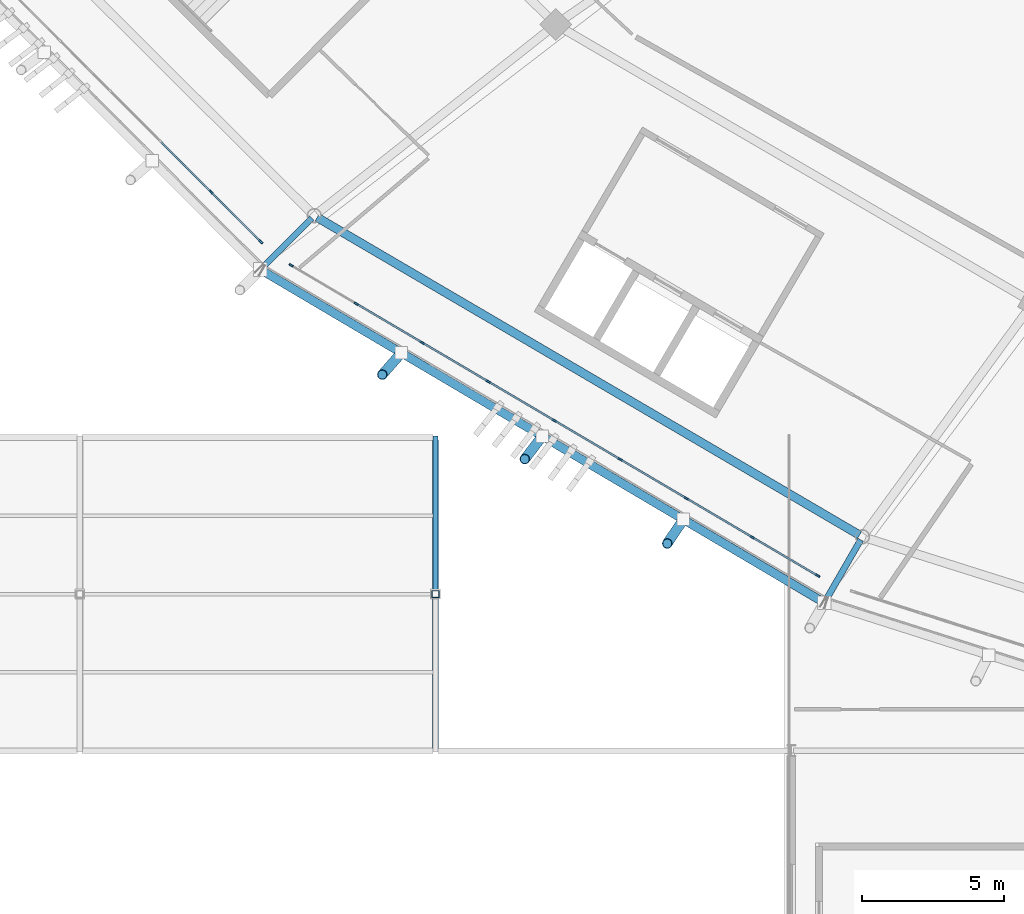
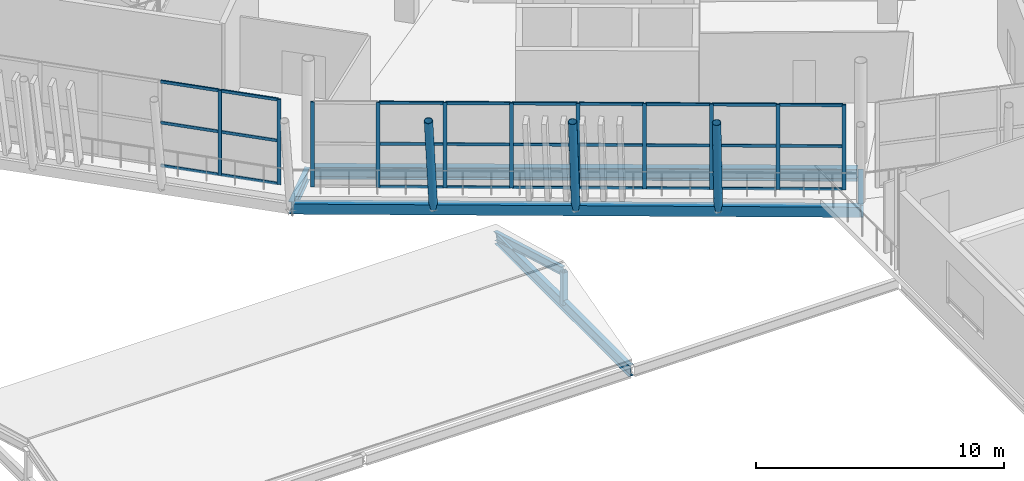
# One storey, part 25 of 179: 43 members, 5 beams, 2 elements without a shape of their own.
"""IFC4 building model written with IfcOpenShell, lengths in metres."""

from ifc_helpers import new_model, si_unit, direction, frame, origin, origin_2d, place, context, subcontext, project, spatial, rectangle, hollow_rectangle, hollow_circle, i_section, extrude, material, material_profile, profile_set, type_object, element, aggregate, save


model = new_model("IFC4")

# Units and contexts
model_context = context("Model", 3, precision=1e-05, world=origin(), true_north=direction((0.0, 1.0)))
body_context = subcontext(model_context, "Body", "Model", "MODEL_VIEW")
ifc_project = project(units=[si_unit("LENGTHUNIT", "METRE"), si_unit("AREAUNIT", "SQUARE_METRE"), si_unit("VOLUMEUNIT", "CUBIC_METRE"), si_unit("PLANEANGLEUNIT", "RADIAN"), si_unit("MASSUNIT", "GRAM", prefix="KILO")], contexts=[model_context])

# Site, building, storey
site_placement = place(None, origin())
site = spatial("IfcSite", under=ifc_project, at=site_placement, CompositionType="ELEMENT")
building_placement = place(site_placement, origin())
building = spatial("IfcBuilding", under=site, at=building_placement, Name="Zlatoyarsky Gate Stadium", CompositionType="ELEMENT")
storey_placement = place(building_placement, frame((0.0, 0.0, 10.60009765625)))
storey = spatial("IfcBuildingStorey", under=building, at=storey_placement, Name="L02", CompositionType="ELEMENT", Elevation=10.60009765625)

# Curtain wall, members
ifc_material_1 = material(Name="Thermally broken anodised aluminium curtain wall", Category="aluminium")
curtain_wall_type = type_object("IfcCurtainWallType", Name="UNITISED HOSPITALITY GLAZING L02", PredefinedType="USERDEFINED", material=ifc_material_1)
curtain_wall_1_placement = place(storey_placement, origin())
curtain_wall_1 = element("IfcCurtainWall", 1, at=curtain_wall_1_placement, inside=storey, type_object=curtain_wall_type, Name="Curtain wall CW-L02-14", ObjectType="UNITISED GLAZING", PredefinedType="USERDEFINED")
ifc_material_2 = material(Name="Anodised aluminium 6063-T6", Category="aluminium")
ifc_material_profile_1 = material_profile(ifc_material_2, rectangle(XDim=0.06494140625, YDim=0.159912109375, at=origin_2d()), Name="ALU 65X160")
ifc_profile_set_1 = profile_set([ifc_material_profile_1], Name="Anodised aluminium 6063-T6")
member_type_1 = type_object("IfcMemberType", Name="ALUMINIUM MULLION 65X160", PredefinedType="MULLION", material=ifc_profile_set_1)
member_1_placement = place(storey_placement, frame((41.61083984375, 30.63232421875, 0.0), z_axis=(0.0, 0.0, 1.0), x_axis=(0.707587678066, 0.706625557031, 0.0)))
member_1 = element("IfcMember", 2, at=member_1_placement, type_object=member_type_1, Name="CW-UG2 mullion 8", PredefinedType="MULLION", context=body_context, shape_type="SweptSolid", body=[
    extrude(rectangle(XDim=0.06494140625, YDim=0.159912109375, at=origin_2d()), origin(), (0.0, 0.0, 1.0), 4.199951171875),
])
member_2_placement = place(storey_placement, frame((43.359619140625, 28.881103515625, 0.0), z_axis=(0.0, 0.0, 1.0), x_axis=(0.707587678066, 0.706625557031, 0.0)))
member_2 = element("IfcMember", 3, at=member_2_placement, type_object=member_type_1, Name="CW-UG2 mullion 9", PredefinedType="MULLION", context=body_context, shape_type="SweptSolid", body=[
    extrude(rectangle(XDim=0.06494140625, YDim=0.159912109375, at=origin_2d()), origin(), (0.0, 0.0, 1.0), 4.199951171875),
])

curtain_wall_2_placement = place(storey_placement, origin())
curtain_wall_2 = element("IfcCurtainWall", 4, at=curtain_wall_2_placement, inside=storey, type_object=curtain_wall_type, Name="Curtain wall CW-L02-15", ObjectType="UNITISED GLAZING", PredefinedType="USERDEFINED")
member_3_placement = place(storey_placement, frame((44.4296875, 28.051513671875, 0.0), z_axis=(0.0, 0.0, 1.0), x_axis=(0.507884392586, 0.861425239802, 0.0)))
member_3 = element("IfcMember", 5, at=member_3_placement, type_object=member_type_1, Name="CW-UG2 mullion 1", PredefinedType="MULLION", context=body_context, shape_type="SweptSolid", body=[
    extrude(rectangle(XDim=0.06494140625, YDim=0.159912109375, at=origin_2d()), origin(), (0.0, 0.0, 1.0), 4.199951171875),
])
member_4_placement = place(storey_placement, frame((46.720703125, 26.700927734375, 0.0), z_axis=(0.0, 0.0, 1.0), x_axis=(0.507884392586, 0.861425239802, 0.0)))
member_4 = element("IfcMember", 6, at=member_4_placement, type_object=member_type_1, Name="CW-UG2 mullion 2", PredefinedType="MULLION", context=body_context, shape_type="SweptSolid", body=[
    extrude(rectangle(XDim=0.06494140625, YDim=0.159912109375, at=origin_2d()), origin(), (0.0, 0.0, 1.0), 4.199951171875),
])
member_5_placement = place(storey_placement, frame((49.039306640625, 25.333740234375, 0.0), z_axis=(0.0, 0.0, 1.0), x_axis=(0.507884392586, 0.861425239802, 0.0)))
member_5 = element("IfcMember", 7, at=member_5_placement, type_object=member_type_1, Name="CW-UG2 mullion 3", PredefinedType="MULLION", context=body_context, shape_type="SweptSolid", body=[
    extrude(rectangle(XDim=0.06494140625, YDim=0.159912109375, at=origin_2d()), origin(), (0.0, 0.0, 1.0), 4.199951171875),
])
member_6_placement = place(storey_placement, frame((51.358154296875, 23.966796875, 0.0), z_axis=(0.0, 0.0, 1.0), x_axis=(0.507884392586, 0.861425239802, 0.0)))
member_6 = element("IfcMember", 8, at=member_6_placement, type_object=member_type_1, Name="CW-UG2 mullion 4", PredefinedType="MULLION", context=body_context, shape_type="SweptSolid", body=[
    extrude(rectangle(XDim=0.06494140625, YDim=0.159912109375, at=origin_2d()), origin(), (0.0, 0.0, 1.0), 4.199951171875),
])
member_7_placement = place(storey_placement, frame((53.677001953125, 22.599609375, 0.0), z_axis=(0.0, 0.0, 1.0), x_axis=(0.507884392586, 0.861425239802, 0.0)))
member_7 = element("IfcMember", 9, at=member_7_placement, type_object=member_type_1, Name="CW-UG2 mullion 5", PredefinedType="MULLION", context=body_context, shape_type="SweptSolid", body=[
    extrude(rectangle(XDim=0.06494140625, YDim=0.159912109375, at=origin_2d()), origin(), (0.0, 0.0, 1.0), 4.199951171875),
])
member_8_placement = place(storey_placement, frame((55.995849609375, 21.232421875, 0.0), z_axis=(0.0, 0.0, 1.0), x_axis=(0.507884392586, 0.861425239802, 0.0)))
member_8 = element("IfcMember", 10, at=member_8_placement, type_object=member_type_1, Name="CW-UG2 mullion 6", PredefinedType="MULLION", context=body_context, shape_type="SweptSolid", body=[
    extrude(rectangle(XDim=0.06494140625, YDim=0.159912109375, at=origin_2d()), origin(), (0.0, 0.0, 1.0), 4.199951171875),
])
member_9_placement = place(storey_placement, frame((58.314453125, 19.865234375, 0.0), z_axis=(0.0, 0.0, 1.0), x_axis=(0.507884392586, 0.861425239802, 0.0)))
member_9 = element("IfcMember", 11, at=member_9_placement, type_object=member_type_1, Name="CW-UG2 mullion 7", PredefinedType="MULLION", context=body_context, shape_type="SweptSolid", body=[
    extrude(rectangle(XDim=0.06494140625, YDim=0.159912109375, at=origin_2d()), origin(), (0.0, 0.0, 1.0), 4.199951171875),
])
member_10_placement = place(storey_placement, frame((60.63330078125, 18.498291015625, 0.0), z_axis=(0.0, 0.0, 1.0), x_axis=(0.507884392586, 0.861425239802, 0.0)))
member_10 = element("IfcMember", 12, at=member_10_placement, type_object=member_type_1, Name="CW-UG2 mullion 8", PredefinedType="MULLION", context=body_context, shape_type="SweptSolid", body=[
    extrude(rectangle(XDim=0.06494140625, YDim=0.159912109375, at=origin_2d()), origin(), (0.0, 0.0, 1.0), 4.199951171875),
])
member_11_placement = place(storey_placement, frame((62.924072265625, 17.147705078125, 0.0), z_axis=(0.0, 0.0, 1.0), x_axis=(0.507884392586, 0.861425239802, 0.0)))
member_11 = element("IfcMember", 13, at=member_11_placement, type_object=member_type_1, Name="CW-UG2 mullion 9", PredefinedType="MULLION", context=body_context, shape_type="SweptSolid", body=[
    extrude(rectangle(XDim=0.06494140625, YDim=0.159912109375, at=origin_2d()), origin(), (0.0, 0.0, 1.0), 4.199951171875),
])

# Member
ifc_material_profile_2 = material_profile(ifc_material_2, rectangle(XDim=0.06494140625, YDim=0.139892578125, at=origin_2d()), Name="ALU 65X140")
ifc_profile_set_2 = profile_set([ifc_material_profile_2], Name="Anodised aluminium 6063-T6")
member_type_2 = type_object("IfcMemberType", Name="ALUMINIUM TRANSOM 65X140", PredefinedType="USERDEFINED", material=ifc_profile_set_2)
member_12_placement = place(storey_placement, frame((39.86181640625, 32.383544921875, 0.032470703125), z_axis=(0.706656856545, -0.707556419728, 0.0), x_axis=(0.707556419728, 0.706656856545, 0.0)))
member_12 = element("IfcMember", 14, at=member_12_placement, type_object=member_type_2, Name="CW-UG2 transom 7.1", ObjectType="TRANSOM", PredefinedType="USERDEFINED", context=body_context, shape_type="SweptSolid", body=[
    extrude(rectangle(XDim=0.06494140625, YDim=0.139892578125, at=origin_2d()), origin(), (0.0, 0.0, 1.0), 2.442626953125),
])

member_13_placement = place(storey_placement, frame((39.86181640625, 32.383544921875, 2.14990234375), z_axis=(0.706656856545, -0.707556419728, 0.0), x_axis=(0.707556419728, 0.706656856545, 0.0)))
member_13 = element("IfcMember", 15, at=member_13_placement, type_object=member_type_2, Name="CW-UG2 transom 7.2", ObjectType="TRANSOM", PredefinedType="USERDEFINED", context=body_context, shape_type="SweptSolid", body=[
    extrude(rectangle(XDim=0.06494140625, YDim=0.139892578125, at=origin_2d()), origin(), (0.0, 0.0, 1.0), 2.442626953125),
])

member_14_placement = place(storey_placement, frame((39.86181640625, 32.383544921875, 4.16748046875), z_axis=(0.706656856545, -0.707556419728, 0.0), x_axis=(0.707556419728, 0.706656856545, 0.0)))
member_14 = element("IfcMember", 16, at=member_14_placement, type_object=member_type_2, Name="CW-UG2 transom 7.3", ObjectType="TRANSOM", PredefinedType="USERDEFINED", context=body_context, shape_type="SweptSolid", body=[
    extrude(rectangle(XDim=0.06494140625, YDim=0.139892578125, at=origin_2d()), origin(), (0.0, 0.0, 1.0), 2.442626953125),
])

member_15_placement = place(storey_placement, frame((41.6337890625, 30.609375, 0.032470703125), z_axis=(0.706600076415, -0.707613123119, 0.0), x_axis=(0.707613123119, 0.706600076415, 0.0)))
member_15 = element("IfcMember", 17, at=member_15_placement, type_object=member_type_2, Name="CW-UG2 transom 8.1", ObjectType="TRANSOM", PredefinedType="USERDEFINED", context=body_context, shape_type="SweptSolid", body=[
    extrude(rectangle(XDim=0.06494140625, YDim=0.139892578125, at=origin_2d()), origin(), (0.0, 0.0, 1.0), 2.409912109375),
])

member_16_placement = place(storey_placement, frame((41.6337890625, 30.609375, 2.14990234375), z_axis=(0.706600076415, -0.707613123119, 0.0), x_axis=(0.707613123119, 0.706600076415, 0.0)))
member_16 = element("IfcMember", 18, at=member_16_placement, type_object=member_type_2, Name="CW-UG2 transom 8.2", ObjectType="TRANSOM", PredefinedType="USERDEFINED", context=body_context, shape_type="SweptSolid", body=[
    extrude(rectangle(XDim=0.06494140625, YDim=0.139892578125, at=origin_2d()), origin(), (0.0, 0.0, 1.0), 2.409912109375),
])

member_17_placement = place(storey_placement, frame((41.6337890625, 30.609375, 4.16748046875), z_axis=(0.706600076415, -0.707613123119, 0.0), x_axis=(0.707613123119, 0.706600076415, 0.0)))
member_17 = element("IfcMember", 19, at=member_17_placement, type_object=member_type_2, Name="CW-UG2 transom 8.3", ObjectType="TRANSOM", PredefinedType="USERDEFINED", context=body_context, shape_type="SweptSolid", body=[
    extrude(rectangle(XDim=0.06494140625, YDim=0.139892578125, at=origin_2d()), origin(), (0.0, 0.0, 1.0), 2.409912109375),
])

aggregate(curtain_wall_1, [member_1, member_2, member_12, member_13, member_14, member_15, member_16, member_17])

member_18_placement = place(storey_placement, frame((46.74853515625, 26.6845703125, 0.032470703125), z_axis=(0.861420118469, -0.507893078804, 0.0), x_axis=(0.507893078804, 0.861420118469, 0.0)))
member_18 = element("IfcMember", 20, at=member_18_placement, type_object=member_type_2, Name="CW-UG2 transom 2.1", ObjectType="TRANSOM", PredefinedType="USERDEFINED", context=body_context, shape_type="SweptSolid", body=[
    extrude(rectangle(XDim=0.06494140625, YDim=0.139892578125, at=origin_2d()), origin(), (0.0, 0.0, 1.0), 2.626953125),
])

member_19_placement = place(storey_placement, frame((46.74853515625, 26.6845703125, 2.14990234375), z_axis=(0.861420118469, -0.507893078804, 0.0), x_axis=(0.507893078804, 0.861420118469, 0.0)))
member_19 = element("IfcMember", 21, at=member_19_placement, type_object=member_type_2, Name="CW-UG2 transom 2.2", ObjectType="TRANSOM", PredefinedType="USERDEFINED", context=body_context, shape_type="SweptSolid", body=[
    extrude(rectangle(XDim=0.06494140625, YDim=0.139892578125, at=origin_2d()), origin(), (0.0, 0.0, 1.0), 2.626953125),
])

member_20_placement = place(storey_placement, frame((46.74853515625, 26.6845703125, 4.16748046875), z_axis=(0.861420118469, -0.507893078804, 0.0), x_axis=(0.507893078804, 0.861420118469, 0.0)))
member_20 = element("IfcMember", 22, at=member_20_placement, type_object=member_type_2, Name="CW-UG2 transom 2.3", ObjectType="TRANSOM", PredefinedType="USERDEFINED", context=body_context, shape_type="SweptSolid", body=[
    extrude(rectangle(XDim=0.06494140625, YDim=0.139892578125, at=origin_2d()), origin(), (0.0, 0.0, 1.0), 2.626953125),
])

member_21_placement = place(storey_placement, frame((49.0673828125, 25.3173828125, 0.032470703125), z_axis=(0.861396142351, -0.507933741686, 0.0), x_axis=(0.507933741686, 0.861396142351, 0.0)))
member_21 = element("IfcMember", 23, at=member_21_placement, type_object=member_type_2, Name="CW-UG2 transom 3.1", ObjectType="TRANSOM", PredefinedType="USERDEFINED", context=body_context, shape_type="SweptSolid", body=[
    extrude(rectangle(XDim=0.06494140625, YDim=0.139892578125, at=origin_2d()), origin(), (0.0, 0.0, 1.0), 2.626708984375),
])

member_22_placement = place(storey_placement, frame((49.0673828125, 25.3173828125, 2.14990234375), z_axis=(0.861396142351, -0.507933741686, 0.0), x_axis=(0.507933741686, 0.861396142351, 0.0)))
member_22 = element("IfcMember", 24, at=member_22_placement, type_object=member_type_2, Name="CW-UG2 transom 3.2", ObjectType="TRANSOM", PredefinedType="USERDEFINED", context=body_context, shape_type="SweptSolid", body=[
    extrude(rectangle(XDim=0.06494140625, YDim=0.139892578125, at=origin_2d()), origin(), (0.0, 0.0, 1.0), 2.626708984375),
])

member_23_placement = place(storey_placement, frame((49.0673828125, 25.3173828125, 4.16748046875), z_axis=(0.861396142351, -0.507933741686, 0.0), x_axis=(0.507933741686, 0.861396142351, 0.0)))
member_23 = element("IfcMember", 25, at=member_23_placement, type_object=member_type_2, Name="CW-UG2 transom 3.3", ObjectType="TRANSOM", PredefinedType="USERDEFINED", context=body_context, shape_type="SweptSolid", body=[
    extrude(rectangle(XDim=0.06494140625, YDim=0.139892578125, at=origin_2d()), origin(), (0.0, 0.0, 1.0), 2.626708984375),
])

member_24_placement = place(storey_placement, frame((51.38623046875, 23.9501953125, 0.032470703125), z_axis=(0.861436807081, -0.507864772755, 0.0), x_axis=(0.507864772755, 0.861436807081, 0.0)))
member_24 = element("IfcMember", 26, at=member_24_placement, type_object=member_type_2, Name="CW-UG2 transom 4.1", ObjectType="TRANSOM", PredefinedType="USERDEFINED", context=body_context, shape_type="SweptSolid", body=[
    extrude(rectangle(XDim=0.06494140625, YDim=0.139892578125, at=origin_2d()), origin(), (0.0, 0.0, 1.0), 2.626708984375),
])

member_25_placement = place(storey_placement, frame((51.38623046875, 23.9501953125, 2.14990234375), z_axis=(0.861436807081, -0.507864772755, 0.0), x_axis=(0.507864772755, 0.861436807081, 0.0)))
member_25 = element("IfcMember", 27, at=member_25_placement, type_object=member_type_2, Name="CW-UG2 transom 4.2", ObjectType="TRANSOM", PredefinedType="USERDEFINED", context=body_context, shape_type="SweptSolid", body=[
    extrude(rectangle(XDim=0.06494140625, YDim=0.139892578125, at=origin_2d()), origin(), (0.0, 0.0, 1.0), 2.626708984375),
])

member_26_placement = place(storey_placement, frame((51.38623046875, 23.9501953125, 4.16748046875), z_axis=(0.861436807081, -0.507864772755, 0.0), x_axis=(0.507864772755, 0.861436807081, 0.0)))
member_26 = element("IfcMember", 28, at=member_26_placement, type_object=member_type_2, Name="CW-UG2 transom 4.3", ObjectType="TRANSOM", PredefinedType="USERDEFINED", context=body_context, shape_type="SweptSolid", body=[
    extrude(rectangle(XDim=0.06494140625, YDim=0.139892578125, at=origin_2d()), origin(), (0.0, 0.0, 1.0), 2.626708984375),
])

member_27_placement = place(storey_placement, frame((53.704833984375, 22.5830078125, 0.032470703125), z_axis=(0.86146077782, -0.507824111556, 0.0), x_axis=(0.507824111556, 0.86146077782, 0.0)))
member_27 = element("IfcMember", 29, at=member_27_placement, type_object=member_type_2, Name="CW-UG2 transom 5.1", ObjectType="TRANSOM", PredefinedType="USERDEFINED", context=body_context, shape_type="SweptSolid", body=[
    extrude(rectangle(XDim=0.06494140625, YDim=0.139892578125, at=origin_2d()), origin(), (0.0, 0.0, 1.0), 2.626953125),
])

member_28_placement = place(storey_placement, frame((53.704833984375, 22.5830078125, 2.14990234375), z_axis=(0.86146077782, -0.507824111556, 0.0), x_axis=(0.507824111556, 0.86146077782, 0.0)))
member_28 = element("IfcMember", 30, at=member_28_placement, type_object=member_type_2, Name="CW-UG2 transom 5.2", ObjectType="TRANSOM", PredefinedType="USERDEFINED", context=body_context, shape_type="SweptSolid", body=[
    extrude(rectangle(XDim=0.06494140625, YDim=0.139892578125, at=origin_2d()), origin(), (0.0, 0.0, 1.0), 2.626953125),
])

member_29_placement = place(storey_placement, frame((53.704833984375, 22.5830078125, 4.16748046875), z_axis=(0.86146077782, -0.507824111556, 0.0), x_axis=(0.507824111556, 0.86146077782, 0.0)))
member_29 = element("IfcMember", 31, at=member_29_placement, type_object=member_type_2, Name="CW-UG2 transom 5.3", ObjectType="TRANSOM", PredefinedType="USERDEFINED", context=body_context, shape_type="SweptSolid", body=[
    extrude(rectangle(XDim=0.06494140625, YDim=0.139892578125, at=origin_2d()), origin(), (0.0, 0.0, 1.0), 2.626953125),
])

member_30_placement = place(storey_placement, frame((56.023681640625, 21.216064453125, 0.032470703125), z_axis=(0.861420118469, -0.507893078804, 0.0), x_axis=(0.507893078804, 0.861420118469, 0.0)))
member_30 = element("IfcMember", 32, at=member_30_placement, type_object=member_type_2, Name="CW-UG2 transom 6.1", ObjectType="TRANSOM", PredefinedType="USERDEFINED", context=body_context, shape_type="SweptSolid", body=[
    extrude(rectangle(XDim=0.06494140625, YDim=0.139892578125, at=origin_2d()), origin(), (0.0, 0.0, 1.0), 2.626953125),
])

member_31_placement = place(storey_placement, frame((56.023681640625, 21.216064453125, 2.14990234375), z_axis=(0.861420118469, -0.507893078804, 0.0), x_axis=(0.507893078804, 0.861420118469, 0.0)))
member_31 = element("IfcMember", 33, at=member_31_placement, type_object=member_type_2, Name="CW-UG2 transom 6.2", ObjectType="TRANSOM", PredefinedType="USERDEFINED", context=body_context, shape_type="SweptSolid", body=[
    extrude(rectangle(XDim=0.06494140625, YDim=0.139892578125, at=origin_2d()), origin(), (0.0, 0.0, 1.0), 2.626953125),
])

member_32_placement = place(storey_placement, frame((56.023681640625, 21.216064453125, 4.16748046875), z_axis=(0.861420118469, -0.507893078804, 0.0), x_axis=(0.507893078804, 0.861420118469, 0.0)))
member_32 = element("IfcMember", 34, at=member_32_placement, type_object=member_type_2, Name="CW-UG2 transom 6.3", ObjectType="TRANSOM", PredefinedType="USERDEFINED", context=body_context, shape_type="SweptSolid", body=[
    extrude(rectangle(XDim=0.06494140625, YDim=0.139892578125, at=origin_2d()), origin(), (0.0, 0.0, 1.0), 2.626953125),
])

member_33_placement = place(storey_placement, frame((58.342529296875, 19.848876953125, 0.032470703125), z_axis=(0.861396142351, -0.507933741686, 0.0), x_axis=(0.507933741686, 0.861396142351, 0.0)))
member_33 = element("IfcMember", 35, at=member_33_placement, type_object=member_type_2, Name="CW-UG2 transom 7.1", ObjectType="TRANSOM", PredefinedType="USERDEFINED", context=body_context, shape_type="SweptSolid", body=[
    extrude(rectangle(XDim=0.06494140625, YDim=0.139892578125, at=origin_2d()), origin(), (0.0, 0.0, 1.0), 2.626708984375),
])

member_34_placement = place(storey_placement, frame((58.342529296875, 19.848876953125, 2.14990234375), z_axis=(0.861396142351, -0.507933741686, 0.0), x_axis=(0.507933741686, 0.861396142351, 0.0)))
member_34 = element("IfcMember", 36, at=member_34_placement, type_object=member_type_2, Name="CW-UG2 transom 7.2", ObjectType="TRANSOM", PredefinedType="USERDEFINED", context=body_context, shape_type="SweptSolid", body=[
    extrude(rectangle(XDim=0.06494140625, YDim=0.139892578125, at=origin_2d()), origin(), (0.0, 0.0, 1.0), 2.626708984375),
])

member_35_placement = place(storey_placement, frame((58.342529296875, 19.848876953125, 4.16748046875), z_axis=(0.861396142351, -0.507933741686, 0.0), x_axis=(0.507933741686, 0.861396142351, 0.0)))
member_35 = element("IfcMember", 37, at=member_35_placement, type_object=member_type_2, Name="CW-UG2 transom 7.3", ObjectType="TRANSOM", PredefinedType="USERDEFINED", context=body_context, shape_type="SweptSolid", body=[
    extrude(rectangle(XDim=0.06494140625, YDim=0.139892578125, at=origin_2d()), origin(), (0.0, 0.0, 1.0), 2.626708984375),
])

member_36_placement = place(storey_placement, frame((60.661376953125, 18.481689453125, 0.032470703125), z_axis=(0.861403912896, -0.50792056352, 0.0), x_axis=(0.50792056352, 0.861403912896, 0.0)))
member_36 = element("IfcMember", 38, at=member_36_placement, type_object=member_type_2, Name="CW-UG2 transom 8.1", ObjectType="TRANSOM", PredefinedType="USERDEFINED", context=body_context, shape_type="SweptSolid", body=[
    extrude(rectangle(XDim=0.06494140625, YDim=0.139892578125, at=origin_2d()), origin(), (0.0, 0.0, 1.0), 2.59423828125),
])

member_37_placement = place(storey_placement, frame((60.661376953125, 18.481689453125, 2.14990234375), z_axis=(0.861403912896, -0.50792056352, 0.0), x_axis=(0.50792056352, 0.861403912896, 0.0)))
member_37 = element("IfcMember", 39, at=member_37_placement, type_object=member_type_2, Name="CW-UG2 transom 8.2", ObjectType="TRANSOM", PredefinedType="USERDEFINED", context=body_context, shape_type="SweptSolid", body=[
    extrude(rectangle(XDim=0.06494140625, YDim=0.139892578125, at=origin_2d()), origin(), (0.0, 0.0, 1.0), 2.59423828125),
])

member_38_placement = place(storey_placement, frame((60.661376953125, 18.481689453125, 4.16748046875), z_axis=(0.861403912896, -0.50792056352, 0.0), x_axis=(0.50792056352, 0.861403912896, 0.0)))
member_38 = element("IfcMember", 40, at=member_38_placement, type_object=member_type_2, Name="CW-UG2 transom 8.3", ObjectType="TRANSOM", PredefinedType="USERDEFINED", context=body_context, shape_type="SweptSolid", body=[
    extrude(rectangle(XDim=0.06494140625, YDim=0.139892578125, at=origin_2d()), origin(), (0.0, 0.0, 1.0), 2.59423828125),
])

aggregate(curtain_wall_2, [member_3, member_4, member_5, member_6, member_7, member_8, member_9, member_10, member_11, member_18, member_19, member_20, member_21, member_22, member_23, member_24, member_25, member_26, member_27, member_28, member_29, member_30, member_31, member_32, member_33, member_34, member_35, member_36, member_37, member_38])

# Beams
ifc_material_3 = material(Name="Steel S355", Category="steel")
ifc_material_profile_3 = material_profile(ifc_material_3, i_section(OverallWidth=0.219970703125, OverallDepth=0.60009765625, WebThickness=0.011962890625, FlangeThickness=0.01904296875, FilletRadius=0.02392578125, at=origin_2d()), Name="IPE 600")
ifc_profile_set_3 = profile_set([ifc_material_profile_3], Name="Steel S355")
beam_type_1 = type_object("IfcBeamType", Name="STEEL CANTILEVER FLOOR BEAM IPE 600", PredefinedType="BEAM", material=ifc_profile_set_3)
beam_1_placement = place(storey_placement, frame((45.154296875, 29.71044921875, -0.580078125), z_axis=(-0.707154540923, -0.707059018224, 0.0), x_axis=(0.707059018224, -0.707154540923, 0.0)))
element("IfcBeam", 41, at=beam_1_placement, inside=storey, type_object=beam_type_1, Name="Beam B-IPE600 BM-L02-OUT-15", PredefinedType="BEAM", context=body_context, shape_type="SweptSolid", body=[
    extrude(i_section(OverallWidth=0.219970703125, OverallDepth=0.60009765625, WebThickness=0.011962890625, FlangeThickness=0.01904296875, FilletRadius=0.02392578125, at=origin_2d()), origin(), (0.0, 0.0, 1.0), 2.555908203125),
])
beam_2_placement = place(storey_placement, frame((64.43994140625, 18.408203125, -0.580078125), z_axis=(-0.499981548585, -0.866036056452, 0.0), x_axis=(0.866036056452, -0.499981548585, 0.0)))
element("IfcBeam", 42, at=beam_2_placement, inside=storey, type_object=beam_type_1, Name="Beam B-IPE600 BM-L02-OUT-16", PredefinedType="BEAM", context=body_context, shape_type="SweptSolid", body=[
    extrude(i_section(OverallWidth=0.219970703125, OverallDepth=0.60009765625, WebThickness=0.011962890625, FlangeThickness=0.01904296875, FilletRadius=0.02392578125, at=origin_2d()), origin(), (0.0, 0.0, 1.0), 2.5556640625),
])
ifc_material_profile_4 = material_profile(ifc_material_3, i_section(OverallWidth=0.2099609375, OverallDepth=0.550048828125, WebThickness=0.010986328125, FlangeThickness=0.01708984375, FilletRadius=0.02392578125, at=origin_2d()), Name="IPE 550")
ifc_profile_set_4 = profile_set([ifc_material_profile_4], Name="Steel S355")
beam_type_2 = type_object("IfcBeamType", Name="STEEL FLOOR BEAM IPE 550", PredefinedType="BEAM", material=ifc_profile_set_4)
beam_3_placement = place(storey_placement, frame((49.5, 11.080078125, -0.55517578125), z_axis=(0.0, 1.0, 0.0), x_axis=(-1.0, 0.0, 0.0)))
element("IfcBeam", 43, at=beam_3_placement, inside=storey, type_object=beam_type_2, Name="Beam B-IPE550 BM-L02-WGY-5-B", PredefinedType="BEAM", context=body_context, shape_type="SweptSolid", body=[
    extrude(i_section(OverallWidth=0.2099609375, OverallDepth=0.550048828125, WebThickness=0.010986328125, FlangeThickness=0.01708984375, FilletRadius=0.02392578125, at=origin_2d()), origin(), (0.0, 0.0, 1.0), 10.83984375),
])

# Members
ifc_material_profile_5 = material_profile(ifc_material_3, hollow_circle(Radius=0.177734375, WallThickness=0.02001953125, at=origin_2d()), Name="CHS 355.6X20")
ifc_profile_set_5 = profile_set([ifc_material_profile_5], Name="Steel S355")
member_type_3 = type_object("IfcMemberType", Name="STEEL LEANING RIB RING STRUT CHS 355.6X20", PredefinedType="STRUT", material=ifc_profile_set_5)
member_39_placement = place(storey_placement, frame((48.30078125, 24.976318359375, -0.530029296875), z_axis=(-0.131807617204, -0.150227193474, 0.979825771445), x_axis=(0.751686237623, -0.659520886832, 0.0)))
element("IfcMember", 44, at=member_39_placement, inside=storey, type_object=member_type_3, Name="Outward-leaning bowl louvre fin rib L02 15-1", PredefinedType="STRUT", context=body_context, shape_type="SweptSolid", body=[
    extrude(hollow_circle(Radius=0.177734375, WallThickness=0.02001953125, at=origin_2d()), origin(), (0.0, 0.0, 1.0), 5.10302734375),
])
member_40_placement = place(storey_placement, frame((53.25439453125, 22.049072265625, -0.530029296875), z_axis=(-0.121388529954, -0.158230929664, 0.979912137742), x_axis=(0.793417106394, -0.608678318392, 0.0)))
element("IfcMember", 45, at=member_40_placement, inside=storey, type_object=member_type_3, Name="Outward-leaning bowl louvre fin rib L02 15-2", PredefinedType="STRUT", context=body_context, shape_type="SweptSolid", body=[
    extrude(hollow_circle(Radius=0.177734375, WallThickness=0.02001953125, at=origin_2d()), origin(), (0.0, 0.0, 1.0), 5.1025390625),
])
member_41_placement = place(storey_placement, frame((58.208251953125, 19.121826171875, -0.530029296875), z_axis=(-0.110949332058, -0.16616085823, 0.97983713693), x_axis=(0.831644832177, -0.555307908384, 0.0)))
element("IfcMember", 46, at=member_41_placement, inside=storey, type_object=member_type_3, Name="Outward-leaning bowl louvre fin rib L02 15-3", PredefinedType="STRUT", context=body_context, shape_type="SweptSolid", body=[
    extrude(hollow_circle(Radius=0.177734375, WallThickness=0.02001953125, at=origin_2d()), origin(), (0.0, 0.0, 1.0), 5.102783203125),
])

# Beam
ifc_material_profile_6 = material_profile(ifc_material_3, hollow_rectangle(XDim=0.300048828125, YDim=0.5, WallThickness=0.02001953125, at=origin_2d()), Name="RHS 500X300X20")
ifc_profile_set_6 = profile_set([ifc_material_profile_6], Name="Steel S355")
beam_type_3 = type_object("IfcBeamType", Name="STEEL LOUVRE CARRIER SPANDREL RHS 500X300X20", PredefinedType="SPANDREL", material=ifc_profile_set_6)
beam_4_placement = place(storey_placement, frame((43.364013671875, 27.89306640625, -0.530029296875), z_axis=(0.860938797481, -0.50870854818, 0.0), x_axis=(0.50870854818, 0.860938797481, 0.0)))
element("IfcBeam", 47, at=beam_4_placement, inside=storey, type_object=beam_type_3, Name="Beam SP-RHS500 BM-L02-SPD-15", PredefinedType="SPANDREL", context=body_context, shape_type="SweptSolid", body=[
    extrude(hollow_rectangle(XDim=0.300048828125, YDim=0.5, WallThickness=0.02001953125, at=origin_2d()), origin(), (0.0, 0.0, 1.0), 22.975830078125),
])

# Members
ifc_material_profile_7 = material_profile(ifc_material_3, i_section(OverallWidth=0.179931640625, OverallDepth=0.39990234375, WebThickness=0.008544921875, FlangeThickness=0.013427734375, FilletRadius=0.02099609375, at=origin_2d()), Name="IPE 400")
ifc_profile_set_7 = profile_set([ifc_material_profile_7], Name="Steel S355")
member_type_4 = type_object("IfcMemberType", Name="STEEL PAVILION ROOF RAFTER IPE 400", PredefinedType="RAFTER", material=ifc_profile_set_7)
member_42_placement = place(storey_placement, frame((49.5, 22.0, -0.5), z_axis=(0.0, -0.961598006641, 0.274461789005), x_axis=(1.0, 0.0, 0.0)))
element("IfcMember", 48, at=member_42_placement, inside=storey, type_object=member_type_4, Name="V6_SW roof rafter 3B", PredefinedType="RAFTER", context=body_context, shape_type="SweptSolid", body=[
    extrude(i_section(OverallWidth=0.179931640625, OverallDepth=0.39990234375, WebThickness=0.008544921875, FlangeThickness=0.013427734375, FilletRadius=0.02099609375, at=origin_2d()), origin(), (0.0, 0.0, 1.0), 5.7197265625),
])
ifc_material_profile_8 = material_profile(ifc_material_3, hollow_rectangle(XDim=0.25, YDim=0.25, WallThickness=0.01611328125, at=origin_2d()), Name="SHS 250X250X16")
ifc_profile_set_8 = profile_set([ifc_material_profile_8], Name="Steel S355")
member_type_5 = type_object("IfcMemberType", Name="STEEL PAVILION TRUSS STRUT SHS 250X250X16", PredefinedType="STRUT", material=ifc_profile_set_8)
member_43_placement = place(storey_placement, frame((49.5, 16.5, -0.530029296875), z_axis=(0.0, 0.0, 1.0), x_axis=(1.0, 0.0, 0.0)))
element("IfcMember", 49, at=member_43_placement, inside=storey, type_object=member_type_5, Name="V6_SW king post strut 3", PredefinedType="STRUT", context=body_context, shape_type="SweptSolid", body=[
    extrude(hollow_rectangle(XDim=0.25, YDim=0.25, WallThickness=0.01611328125, at=origin_2d()), origin(), (0.0, 0.0, 1.0), 1.599853515625),
])

# Beam
ifc_material_profile_9 = material_profile(ifc_material_3, i_section(OverallWidth=0.300048828125, OverallDepth=0.60009765625, WebThickness=0.015380859375, FlangeThickness=0.030029296875, FilletRadius=0.027099609375, at=origin_2d()), Name="HEB 600")
ifc_profile_set_9 = profile_set([ifc_material_profile_9], Name="Steel S355")
beam_type_4 = type_object("IfcBeamType", Name="STEEL PRIMARY GIRDER HEB 600", PredefinedType="BEAM", material=ifc_profile_set_9)
beam_5_placement = place(storey_placement, frame((45.342529296875, 29.734619140625, -0.580078125), z_axis=(0.862854775092, -0.505451913738, 0.0), x_axis=(0.505451913738, 0.862854775092, 0.0)))
element("IfcBeam", 50, at=beam_5_placement, inside=storey, type_object=beam_type_4, Name="Beam G-HEB600 BM-L02-CRC-15", PredefinedType="BEAM", context=body_context, shape_type="SweptSolid", body=[
    extrude(i_section(OverallWidth=0.300048828125, OverallDepth=0.60009765625, WebThickness=0.015380859375, FlangeThickness=0.030029296875, FilletRadius=0.027099609375, at=origin_2d()), origin(), (0.0, 0.0, 1.0), 22.08251953125),
])

save(model, "model.ifc")
